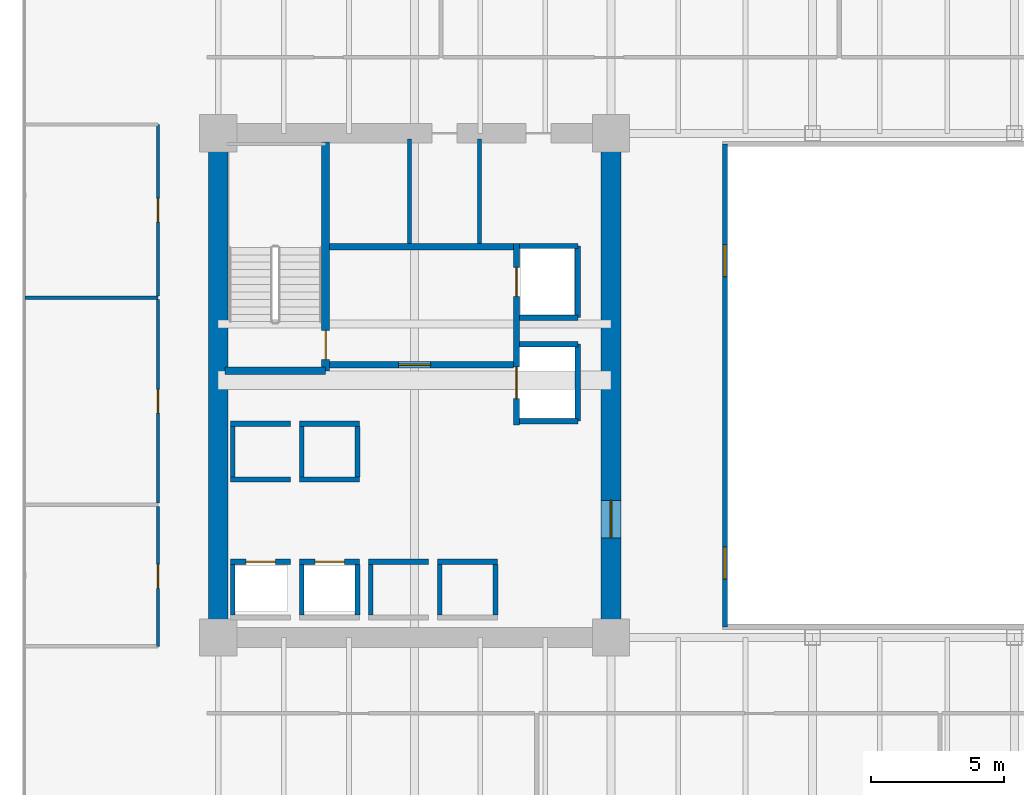
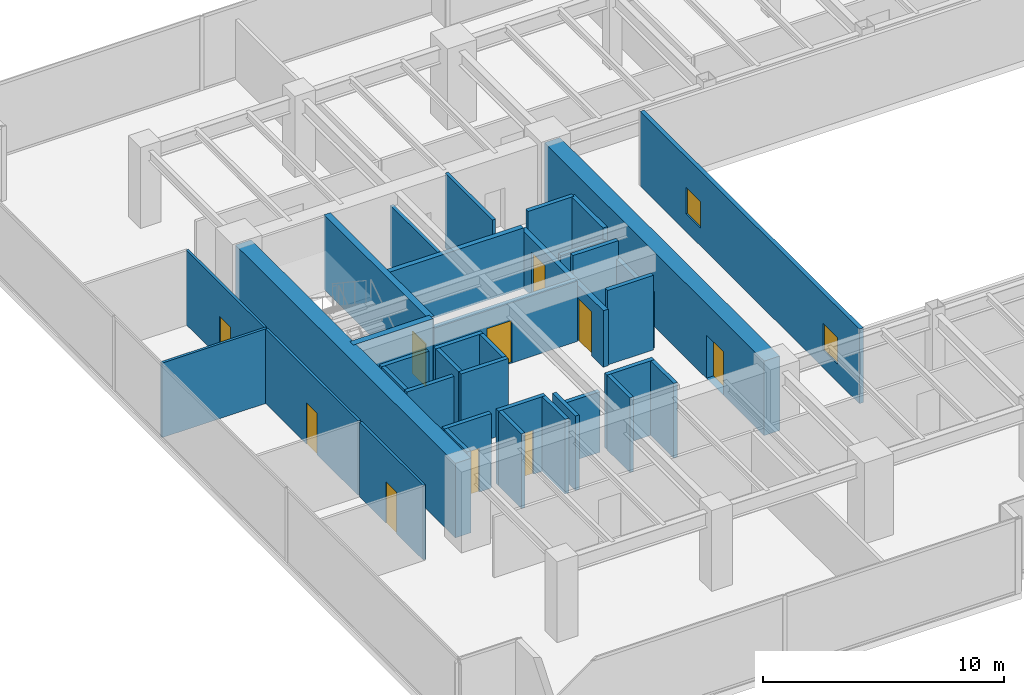
# One storey, part 29 of 35: 37 walls, 10 doors, 2 windows, 12 openings.
"""IFC4 building model written with IfcOpenShell, lengths in metres."""

import ifcopenshell
import ifcopenshell.guid

model = None  # the IFC model being written
_history = None  # IfcOwnerHistory: only IFC2X3 demands one
_inside = {}  # id of a spatial element -> (the spatial element, [elements in it])
_under = {}  # id of a project, library or spatial element -> (it, [spatial elements below it])
_declared = {}  # id of a project -> (the project, [libraries it declares])
_typed = {}  # id of a type object -> (the type object, [elements of that type])
_made_of = {}  # id of a material, layer set ... -> (it, [elements and type objects made of it])


def new_model(schema):
    """Start an empty IFC model of exactly this schema.

    Asked for "IFC4X3", IfcOpenShell would pick the latest addendum, in which some entities
    have other attributes; the version numbers below select the first issue.
    IFC2X3 requires an IfcOwnerHistory on every rooted entity: one is made here for all.
    """
    global model, _history
    if schema == "IFC4X3":
        model = ifcopenshell.file(schema_version=(4, 3, 0, 0))
    else:
        model = ifcopenshell.file(schema=schema)
    _inside.clear()
    _under.clear()
    _declared.clear()
    _typed.clear()
    _made_of.clear()
    _history = None
    if model.schema == "IFC2X3":
        org = make("IfcOrganization", Name="unknown")
        user = make(
            "IfcPersonAndOrganization",
            ThePerson=make("IfcPerson", FamilyName="unknown"),
            TheOrganization=org,
        )
        app = make(
            "IfcApplication",
            ApplicationDeveloper=org,
            Version="unknown",
            ApplicationFullName="unknown",
            ApplicationIdentifier="unknown",
        )
        _history = make(
            "IfcOwnerHistory",
            OwningUser=user,
            OwningApplication=app,
            ChangeAction="ADDED",
            CreationDate=0,
        )
    return model


def make(cls, **values):
    """One entity of the class cls with the attributes given. An attribute that is None is left unset."""
    return model.create_entity(
        cls, **{name: value for name, value in values.items() if value is not None}
    )


def rooted(cls, **values):
    """An entity with a GlobalId (a new one), such as an element, a storey or a relation."""
    return make(cls, GlobalId=ifcopenshell.guid.new(), OwnerHistory=_history, **values)


def si_unit(unit_type, name, prefix=None):
    """IfcSIUnit, for example si_unit("LENGTHUNIT", "METRE", prefix="MILLI")."""
    return make("IfcSIUnit", UnitType=unit_type, Prefix=prefix, Name=name)


def assignment(units):
    """IfcUnitAssignment: the units of a project."""
    return None if units is None else make("IfcUnitAssignment", Units=units)


def point(xyz):
    """IfcCartesianPoint."""
    return None if xyz is None else make("IfcCartesianPoint", Coordinates=xyz)


def direction(xyz):
    """IfcDirection."""
    return None if xyz is None else make("IfcDirection", DirectionRatios=xyz)


def frame(location, z_axis=None, x_axis=None):
    """IfcAxis2Placement3D, a coordinate frame: its origin and axes. An axis left out is left unset."""
    return make(
        "IfcAxis2Placement3D",
        Location=point(location),
        Axis=direction(z_axis),
        RefDirection=direction(x_axis),
    )


def frame_2d(location, x_axis=None):
    """IfcAxis2Placement2D, a coordinate frame in the plane: its origin and x axis."""
    return make(
        "IfcAxis2Placement2D", Location=point(location), RefDirection=direction(x_axis)
    )


def origin():
    """The frame at (0, 0, 0) with its axes left unset."""
    return frame((0.0, 0.0, 0.0))


def place(relative_to, where):
    """IfcLocalPlacement: puts the frame where relative to a parent placement (None: the world)."""
    return make(
        "IfcLocalPlacement", PlacementRelTo=relative_to, RelativePlacement=where
    )


def context(
    kind, dimensions, precision=None, world=None, true_north=None, identifier=None
):
    """IfcGeometricRepresentationContext, for example the 3D "Model" context."""
    return make(
        "IfcGeometricRepresentationContext",
        ContextIdentifier=identifier,
        ContextType=kind,
        CoordinateSpaceDimension=dimensions,
        Precision=precision,
        WorldCoordinateSystem=world,
        TrueNorth=true_north,
    )


def subcontext(parent, identifier, kind, view, scale=None):
    """IfcGeometricRepresentationSubContext, for example "Body" below "Model"."""
    return make(
        "IfcGeometricRepresentationSubContext",
        ContextIdentifier=identifier,
        ContextType=kind,
        ParentContext=parent,
        TargetScale=scale,
        TargetView=view,
    )


def project(units=None, contexts=None):
    """IfcProject with its units and contexts."""
    return rooted(
        "IfcProject",
        Name="project",
        RepresentationContexts=contexts,
        UnitsInContext=assignment(units),
    )


def spatial(cls, under=None, at=None, **own):
    """A site, building, storey or space (cls), placed at a placement, below another one or the project."""
    s = rooted(cls, ObjectPlacement=at, **own)
    if under is not None:
        _under.setdefault(under.id(), (under, []))[1].append(s)
    return s


def profile(cls, at=None, kind="AREA", **sizes):
    """A parametric profile (cls). Its sizes go by their IFC names, for example OverallWidth=200.0."""
    return make(cls, ProfileType=kind, Position=at, **sizes)


def rectangle(**sizes):
    """IfcRectangleProfileDef."""
    return profile("IfcRectangleProfileDef", **sizes)


def extrude(swept, where, along, depth):
    """IfcExtrudedAreaSolid: the profile swept, set in the frame where, extruded along a direction by depth."""
    return make(
        "IfcExtrudedAreaSolid",
        SweptArea=swept,
        Position=where,
        ExtrudedDirection=direction(along),
        Depth=depth,
    )


def shape(context_of_items, identifier, shape_type, items):
    """IfcShapeRepresentation: the items that make up one representation, for example the "Body"."""
    return make(
        "IfcShapeRepresentation",
        ContextOfItems=context_of_items,
        RepresentationIdentifier=identifier,
        RepresentationType=shape_type,
        Items=items,
    )


def source(mapping_origin, context_of_items, identifier, shape_type, items):
    """IfcRepresentationMap: a shape defined once, which mapped items show again and again."""
    return make(
        "IfcRepresentationMap",
        MappingOrigin=mapping_origin,
        MappedRepresentation=shape(context_of_items, identifier, shape_type, items),
    )


def transform(
    local_origin,
    x_axis=None,
    y_axis=None,
    z_axis=None,
    scale=None,
    scale2=None,
    scale3=None,
    uniform=True,
):
    """IfcCartesianTransformationOperator3D, or its non-uniform kind. x_axis, y_axis, z_axis: its Axis1, 2, 3."""
    if uniform:
        return make(
            "IfcCartesianTransformationOperator3D",
            Axis1=direction(x_axis),
            Axis2=direction(y_axis),
            LocalOrigin=point(local_origin),
            Scale=scale,
            Axis3=direction(z_axis),
        )
    return make(
        "IfcCartesianTransformationOperator3DnonUniform",
        Axis1=direction(x_axis),
        Axis2=direction(y_axis),
        LocalOrigin=point(local_origin),
        Scale=scale,
        Axis3=direction(z_axis),
        Scale2=scale2,
        Scale3=scale3,
    )


def mapped(mapping_source, mapping_target):
    """IfcMappedItem: shows the shape of a source again, moved by a transform."""
    return make(
        "IfcMappedItem", MappingSource=mapping_source, MappingTarget=mapping_target
    )


def material(Name=None, Category=None):
    """IfcMaterial."""
    return make("IfcMaterial", Name=Name, Category=Category)


def layer(
    of_material, thickness, ventilated=None, Name=None, Category=None, Priority=None
):
    """IfcMaterialLayer: one layer of a wall or slab, of a material (None: an air gap)."""
    return make(
        "IfcMaterialLayer",
        Material=of_material,
        LayerThickness=thickness,
        IsVentilated=ventilated,
        Name=Name,
        Category=Category,
        Priority=Priority,
    )


def layer_set(layers, Name=None):
    """IfcMaterialLayerSet."""
    return make("IfcMaterialLayerSet", MaterialLayers=layers, LayerSetName=Name)


def made_of(thing, what):
    """Note that an element or type object is made of a material, layer set ...; save() writes the relation."""
    if what is not None:
        _made_of.setdefault(what.id(), (what, []))[1].append(thing)
    return thing


def type_object(cls, material=None, **own):
    """A type object (cls), such as IfcWallType, which elements share."""
    return made_of(rooted(cls, **own), material)


def type_shapes(of_type, sources):
    """Give a type object the sources (RepresentationMaps) that its elements show as mapped items."""
    of_type.RepresentationMaps = sources


def element(
    cls,
    number,
    at=None,
    inside=None,
    cuts=None,
    type_object=None,
    material=None,
    context=None,
    identifier="Body",
    shape_type=None,
    held_by="IfcProductDefinitionShape",
    body=None,
    shapes=None,
    **own,
):
    """One element of the class cls, such as IfcWall. Its Tag is "e" and its number.

    at: its placement. inside: the storey or other place that contains it. cuts: it is an
    opening in that element (IfcRelVoidsElement). A single representation is given by context,
    identifier, shape_type and body (its items); several are given by shapes. held_by: the class
    of the entity that holds the representations. save() writes the other relations.
    """
    e = rooted(cls, Tag="e%d" % number, ObjectPlacement=at, **own)
    if body is not None:
        shapes = [shape(context, identifier, shape_type, body)]
    if shapes is not None:
        e.Representation = make(held_by, Representations=shapes)
    if inside is not None:
        _inside.setdefault(inside.id(), (inside, []))[1].append(e)
    if cuts is not None:
        rooted(
            "IfcRelVoidsElement", RelatingBuildingElement=cuts, RelatedOpeningElement=e
        )
    if type_object is not None:
        _typed.setdefault(type_object.id(), (type_object, []))[1].append(e)
    return made_of(e, material)


def fill(opening, filler):
    """IfcRelFillsElement: the door or window that sits in an opening."""
    return rooted(
        "IfcRelFillsElement",
        RelatingOpeningElement=opening,
        RelatedBuildingElement=filler,
    )


def aggregate(whole, parts):
    """IfcRelAggregates: a whole, such as a stair, and the parts it consists of."""
    return rooted("IfcRelAggregates", RelatingObject=whole, RelatedObjects=parts)


def save(model, path):
    """Write the relations noted so far, then the file.

    IfcRelAggregates (storeys below a building ...), IfcRelContainedInSpatialStructure (elements
    in a storey), IfcRelDefinesByType, IfcRelAssociatesMaterial and IfcRelDeclares: one each for
    every whole, place, type object, material and project.
    """
    for whole, parts in _under.values():
        aggregate(whole, parts)
    for where, things in _inside.values():
        rooted(
            "IfcRelContainedInSpatialStructure",
            RelatedElements=things,
            RelatingStructure=where,
        )
    for kind, things in _typed.values():
        rooted("IfcRelDefinesByType", RelatedObjects=things, RelatingType=kind)
    for what, things in _made_of.values():
        rooted("IfcRelAssociatesMaterial", RelatedObjects=things, RelatingMaterial=what)
    for by, libraries in _declared.values():
        rooted("IfcRelDeclares", RelatingContext=by, RelatedDefinitions=libraries)
    model.write(path)


model = new_model("IFC4")

# Units and contexts
model_context = context("Model", 3, precision=1e-05, world=origin(), true_north=direction((0.0, 1.0)))
body_context = subcontext(model_context, "Body", "Model", "MODEL_VIEW")
ifc_project = project(units=[si_unit("LENGTHUNIT", "METRE"), si_unit("AREAUNIT", "SQUARE_METRE"), si_unit("VOLUMEUNIT", "CUBIC_METRE"), si_unit("PLANEANGLEUNIT", "RADIAN"), si_unit("MASSUNIT", "GRAM", prefix="KILO")], contexts=[model_context])

# Site, building, storey
site_placement = place(None, origin())
site = spatial("IfcSite", under=ifc_project, at=site_placement, CompositionType="ELEMENT")
building_placement = place(site_placement, origin())
building = spatial("IfcBuilding", under=site, at=building_placement, Name="Haelvirn Gate Laboratories", CompositionType="ELEMENT")
storey_placement = place(building_placement, frame((0.0, 0.0, 37.5)))
storey = spatial("IfcBuildingStorey", under=building, at=storey_placement, Name="L09", CompositionType="ELEMENT", Elevation=37.5)

# Wall, openings, windows
ifc_material_1 = material(Name="Tempered fire-rated borosilicate glass & anodised aluminium", Category="aluminium")
ifc_layer_1 = layer(ifc_material_1, 0.195068359375, Name="IW-GLAZ-200")
ifc_layer_set_1 = layer_set([ifc_layer_1], Name="Tempered fire-rated borosilicate glass & anodised aluminium")
wall_type_1 = type_object("IfcWallType", Name="IW-GLAZ-200", PredefinedType="SOLIDWALL", material=ifc_layer_set_1)
wall_1_placement = place(storey_placement, frame((26.5, 15.199951171875, 0.0), z_axis=(0.0, 0.0, 1.0), x_axis=(0.0, 1.0, 0.0)))
wall_1 = element("IfcWall", 1, at=wall_1_placement, inside=storey, type_object=wall_type_1, Name="L09 Interior Wall IW-L09-ATRIUM-W", PredefinedType="SOLIDWALL", context=body_context, shape_type="SweptSolid", body=[
    extrude(rectangle(XDim=18.199951171875, YDim=0.195068359375, at=frame_2d((9.10009765625, 0.0))), origin(), (0.0, 0.0, 1.0), 3.780029296875),
])
opening_1_placement = place(wall_1_placement, frame((1.800048828125, 0.0, 0.89990234375)))
opening_1 = element("IfcOpeningElement", 2, at=opening_1_placement, cuts=wall_1, Name="Opening W6", PredefinedType="OPENING", context=body_context, shape_type="SweptSolid", body=[
    extrude(rectangle(XDim=1.199951171875, YDim=1.35009765625, at=frame_2d((0.60009765625, 0.675048828125))), frame((0.0, 0.107421875, 0.0), z_axis=(0.0, -1.0, 0.0), x_axis=(1.0, 0.0, 0.0)), (0.0, 0.0, 1.0), 0.215087890625),
])
opening_2_placement = place(wall_1_placement, frame((13.199951171875, 0.0, 0.89990234375)))
opening_2 = element("IfcOpeningElement", 3, at=opening_2_placement, cuts=wall_1, Name="Opening W6", PredefinedType="OPENING", context=body_context, shape_type="SweptSolid", body=[
    extrude(rectangle(XDim=1.199951171875, YDim=1.35009765625, at=frame_2d((0.60009765625, 0.675048828125))), frame((0.0, 0.107421875, 0.0), z_axis=(0.0, -1.0, 0.0), x_axis=(1.0, 0.0, 0.0)), (0.0, 0.0, 1.0), 0.215087890625),
])
ifc_material_2 = material(Name="Fire-rated EI 120 borosilicate atrium vision glazing", Category="glass")
window_type = type_object("IfcWindowType", Name="WN-ATR-1200", PartitioningType="SINGLE_PANEL", PredefinedType="WINDOW", material=ifc_material_2)
shared_shape_1 = source(origin(), body_context, "Body", "SweptSolid", [
    extrude(rectangle(XDim=1.199951171875, YDim=1.35009765625, at=frame_2d((0.60009765625, 0.675048828125))), frame((0.0, 0.030029296875, 0.0), z_axis=(0.0, -1.0, 0.0), x_axis=(1.0, 0.0, 0.0)), (0.0, 0.0, 1.0), 0.06005859375),
])
type_shapes(window_type, [shared_shape_1])
window_1_placement = place(opening_1_placement, origin())
window_1 = element("IfcWindow", 4, at=window_1_placement, inside=storey, type_object=window_type, Name="L09 Atrium Observation Window 1", OverallHeight=1.35009765625, OverallWidth=1.199951171875, PartitioningType="SINGLE_PANEL", PredefinedType="WINDOW", context=body_context, shape_type="MappedRepresentation", body=[
    mapped(shared_shape_1, transform((0.0, 0.0, 0.0), scale=1.0)),
])
fill(opening_1, window_1)
window_2_placement = place(opening_2_placement, origin())
window_2 = element("IfcWindow", 5, at=window_2_placement, inside=storey, type_object=window_type, Name="L09 Atrium Observation Window 2", OverallHeight=1.35009765625, OverallWidth=1.199951171875, PartitioningType="SINGLE_PANEL", PredefinedType="WINDOW", context=body_context, shape_type="MappedRepresentation", body=[
    mapped(shared_shape_1, transform((0.0, 0.0, 0.0), scale=1.0)),
])
fill(opening_2, window_2)

# Wall, opening, door
ifc_material_3 = material(Name="Lightweight acoustic gypsum board partition", Category="gypsum")
ifc_layer_2 = layer(ifc_material_3, 0.1201171875, Name="IW-PART-120")
ifc_layer_set_2 = layer_set([ifc_layer_2], Name="Lightweight acoustic gypsum board partition")
wall_type_2 = type_object("IfcWallType", Name="IW-PART-120", PredefinedType="PARTITIONING", material=ifc_layer_set_2)
wall_2_placement = place(storey_placement, frame((5.1298828125, 14.465087890625, 0.0), z_axis=(0.0, 0.0, 1.0), x_axis=(0.0, 1.0, 0.0)))
wall_2 = element("IfcWall", 6, at=wall_2_placement, inside=storey, type_object=wall_type_2, Name="L09 Interior Wall IW-L09-WPASS-01", PredefinedType="PARTITIONING", context=body_context, shape_type="SweptSolid", body=[
    extrude(rectangle(XDim=5.27490234375, YDim=0.1201171875, at=frame_2d((2.637451171875, 0.0))), origin(), (0.0, 0.0, 1.0), 3.780029296875),
])
opening_3_placement = place(wall_2_placement, frame((2.1875, 0.0, 0.0)))
opening_3 = element("IfcOpeningElement", 7, at=opening_3_placement, cuts=wall_2, Name="Opening D4", PredefinedType="OPENING", context=body_context, shape_type="SweptSolid", body=[
    extrude(rectangle(XDim=0.89990234375, YDim=2.10009765625, at=frame_2d((0.449951171875, 1.050048828125))), frame((0.0, 0.070068359375, 0.0), z_axis=(0.0, -1.0, 0.0), x_axis=(1.0, 0.0, 0.0)), (0.0, 0.0, 1.0), 0.14013671875),
])
ifc_material_4 = material(Name="Glazed aluminium-framed write-up door", Category="aluminium")
door_type_1 = type_object("IfcDoorType", Name="DR-OFF-900", OperationType="NOTDEFINED", PredefinedType="DOOR", material=ifc_material_4)
shared_shape_2 = source(origin(), body_context, "Body", "SweptSolid", [
    extrude(rectangle(XDim=0.89990234375, YDim=2.10009765625, at=frame_2d((0.449951171875, 1.050048828125))), frame((0.0, 0.02490234375, 0.0), z_axis=(0.0, -1.0, 0.0), x_axis=(1.0, 0.0, 0.0)), (0.0, 0.0, 1.0), 0.050048828125),
])
type_shapes(door_type_1, [shared_shape_2])
door_1_placement = place(opening_3_placement, origin())
door_1 = element("IfcDoor", 8, at=door_1_placement, inside=storey, type_object=door_type_1, Name="L09 Bioprocess Foundry Laboratory Door W1", OperationType="SINGLE_SWING_LEFT", OverallHeight=2.10009765625, OverallWidth=0.89990234375, PredefinedType="DOOR", context=body_context, shape_type="MappedRepresentation", body=[
    mapped(shared_shape_2, transform((0.0, 0.0, 0.0), scale=1.0)),
])
fill(opening_3, door_1)

wall_3_placement = place(storey_placement, frame((5.1298828125, 19.860107421875, 0.0), z_axis=(0.0, 0.0, 1.0), x_axis=(0.0, 1.0, 0.0)))
wall_3 = element("IfcWall", 9, at=wall_3_placement, inside=storey, type_object=wall_type_2, Name="L09 Interior Wall IW-L09-WPASS-02", PredefinedType="PARTITIONING", context=body_context, shape_type="SweptSolid", body=[
    extrude(rectangle(XDim=7.679931640625, YDim=0.1201171875, at=frame_2d((3.83984375, 0.0))), origin(), (0.0, 0.0, 1.0), 3.780029296875),
])
opening_4_placement = place(wall_3_placement, frame((3.389892578125, 0.0, 0.0)))
opening_4 = element("IfcOpeningElement", 10, at=opening_4_placement, cuts=wall_3, Name="Opening D4", PredefinedType="OPENING", context=body_context, shape_type="SweptSolid", body=[
    extrude(rectangle(XDim=0.89990234375, YDim=2.10009765625, at=frame_2d((0.449951171875, 1.050048828125))), frame((0.0, 0.070068359375, 0.0), z_axis=(0.0, -1.0, 0.0), x_axis=(1.0, 0.0, 0.0)), (0.0, 0.0, 1.0), 0.14013671875),
])
door_2_placement = place(opening_4_placement, origin())
door_2 = element("IfcDoor", 11, at=door_2_placement, inside=storey, type_object=door_type_1, Name="L09 Genomics Assay Laboratory Door W2", OperationType="SINGLE_SWING_RIGHT", OverallHeight=2.10009765625, OverallWidth=0.89990234375, PredefinedType="DOOR", context=body_context, shape_type="MappedRepresentation", body=[
    mapped(shared_shape_2, transform((0.0, 0.0, 0.0), scale=1.0)),
])
fill(opening_4, door_2)

# Wall
wall_4_placement = place(storey_placement, frame((0.110107421875, 27.60009765625, 0.0), z_axis=(0.0, 0.0, 1.0), x_axis=(1.0, 0.0, 0.0)))
element("IfcWall", 12, at=wall_4_placement, inside=storey, type_object=wall_type_2, Name="L09 Interior Wall IW-L09-WDIV-02", PredefinedType="PARTITIONING", context=body_context, shape_type="SweptSolid", body=[
    extrude(rectangle(XDim=5.019775390625, YDim=0.1201171875, at=frame_2d((2.509765625, 0.0))), origin(), (0.0, 0.0, 1.0), 3.780029296875),
])

# Wall, opening, door
wall_5_placement = place(storey_placement, frame((5.1298828125, 27.659912109375, 0.0), z_axis=(0.0, 0.0, 1.0), x_axis=(0.0, 1.0, 0.0)))
wall_5 = element("IfcWall", 13, at=wall_5_placement, inside=storey, type_object=wall_type_2, Name="L09 Interior Wall IW-L09-WPASS-03", PredefinedType="PARTITIONING", context=body_context, shape_type="SweptSolid", body=[
    extrude(rectangle(XDim=6.47509765625, YDim=0.1201171875, at=frame_2d((3.237548828125, 0.0))), origin(), (0.0, 0.0, 1.0), 3.780029296875),
])
opening_5_placement = place(wall_5_placement, frame((2.78759765625, 0.0, 0.0)))
opening_5 = element("IfcOpeningElement", 14, at=opening_5_placement, cuts=wall_5, Name="Opening D4", PredefinedType="OPENING", context=body_context, shape_type="SweptSolid", body=[
    extrude(rectangle(XDim=0.89990234375, YDim=2.10009765625, at=frame_2d((0.449951171875, 1.050048828125))), frame((0.0, 0.070068359375, 0.0), z_axis=(0.0, -1.0, 0.0), x_axis=(1.0, 0.0, 0.0)), (0.0, 0.0, 1.0), 0.14013671875),
])
door_3_placement = place(opening_5_placement, origin())
door_3 = element("IfcDoor", 15, at=door_3_placement, inside=storey, type_object=door_type_1, Name="L09 Proteomics Mass-Spec Laboratory Door W3", OperationType="SINGLE_SWING_LEFT", OverallHeight=2.10009765625, OverallWidth=0.89990234375, PredefinedType="DOOR", context=body_context, shape_type="MappedRepresentation", body=[
    mapped(shared_shape_2, transform((0.0, 0.0, 0.0), scale=1.0)),
])
fill(opening_5, door_3)

# Walls
ifc_material_5 = material(Name="Cement-board restroom plumbing chase wall", Category="gypsum")
ifc_layer_3 = layer(ifc_material_5, 0.155029296875, Name="IW-PLUMB-160")
ifc_layer_set_3 = layer_set([ifc_layer_3], Name="Cement-board restroom plumbing chase wall")
wall_type_3 = type_object("IfcWallType", Name="IW-PLUMB-160", PredefinedType="PLUMBINGWALL", material=ifc_layer_set_3)
wall_6_placement = place(storey_placement, frame((14.610107421875, 29.64990234375, 0.0), z_axis=(0.0, 0.0, 1.0), x_axis=(0.0, 1.0, 0.0)))
element("IfcWall", 16, at=wall_6_placement, inside=storey, type_object=wall_type_3, Name="L09 Interior Wall IW-L09-W-CDIV-0", PredefinedType="PLUMBINGWALL", context=body_context, shape_type="SweptSolid", body=[
    extrude(rectangle(XDim=3.93017578125, YDim=0.155029296875, at=frame_2d((1.965087890625, 0.0))), origin(), (0.0, 0.0, 1.0), 3.06494140625),
])
wall_7_placement = place(storey_placement, frame((17.239990234375, 29.64990234375, 0.0), z_axis=(0.0, 0.0, 1.0), x_axis=(0.0, 1.0, 0.0)))
element("IfcWall", 17, at=wall_7_placement, inside=storey, type_object=wall_type_3, Name="L09 Interior Wall IW-L09-W-CDIV-1", PredefinedType="PLUMBINGWALL", context=body_context, shape_type="SweptSolid", body=[
    extrude(rectangle(XDim=3.93017578125, YDim=0.155029296875, at=frame_2d((1.965087890625, 0.0))), origin(), (0.0, 0.0, 1.0), 3.780029296875),
])
ifc_material_6 = material(Name="Concrete C40/50", Category="concrete")
ifc_layer_4 = layer(ifc_material_6, 0.179931640625, Name="IW-SHAFT-180")
ifc_layer_set_4 = layer_set([ifc_layer_4], Name="Concrete C40/50")
wall_type_4 = type_object("IfcWallType", Name="IW-SHAFT-180", PredefinedType="SOLIDWALL", material=ifc_layer_set_4)
for number, where, z_axis, x_axis, name in (
    (18, (7.949951171875, 15.64990234375, 0.0), (0.0, 0.0, 1.0), (0.0, 1.0, 0.0), "L09 Interior Wall IW-L09-PL1-SD"),
    (19, (10.550048828125, 15.64990234375, 0.0), (0.0, 0.0, 1.0), (0.0, 1.0, 0.0), "L09 Interior Wall IW-L09-PL2-SD"),
    (20, (12.64990234375, 15.64990234375, 0.0), (0.0, 0.0, 1.0), (0.0, 1.0, 0.0), "L09 Interior Wall IW-L09-PL2-SDE"),
    (21, (13.14990234375, 15.64990234375, 0.0), (0.0, 0.0, 1.0), (0.0, 1.0, 0.0), "L09 Interior Wall IW-L09-PL5-SD"),
    (22, (15.75, 15.64990234375, 0.0), (0.0, 0.0, 1.0), (0.0, 1.0, 0.0), "L09 Interior Wall IW-L09-PL6-SD"),
    (23, (17.85009765625, 15.64990234375, 0.0), (0.0, 0.0, 1.0), (0.0, 1.0, 0.0), "L09 Interior Wall IW-L09-PL6-SDE"),
):
    element("IfcWall", number, at=place(storey_placement, frame(where, z_axis=z_axis, x_axis=x_axis)), inside=storey, type_object=wall_type_4, Name=name, PredefinedType="SOLIDWALL", context=body_context, shape_type="SweptSolid", body=[
        extrude(rectangle(XDim=1.900146484375, YDim=0.179931640625, at=frame_2d((0.9501953125, 0.0))), origin(), (0.0, 0.0, 1.0), 3.780029296875),
    ])
for number, where, z_axis, x_axis, name in (
    (24, (7.949951171875, 20.85009765625, 0.0), (0.0, 0.0, 1.0), (0.0, 1.0, 0.0), "L09 Interior Wall IW-L09-PL9-SD"),
    (25, (10.550048828125, 20.85009765625, 0.0), (0.0, 0.0, 1.0), (0.0, 1.0, 0.0), "L09 Interior Wall IW-L09-PL10-SD"),
    (26, (12.64990234375, 20.85009765625, 0.0), (0.0, 0.0, 1.0), (0.0, 1.0, 0.0), "L09 Interior Wall IW-L09-PL10-SDE"),
):
    element("IfcWall", number, at=place(storey_placement, frame(where, z_axis=z_axis, x_axis=x_axis)), inside=storey, type_object=wall_type_4, Name=name, PredefinedType="SOLIDWALL", context=body_context, shape_type="SweptSolid", body=[
        extrude(rectangle(XDim=1.89990234375, YDim=0.179931640625, at=frame_2d((0.949951171875, 0.0))), origin(), (0.0, 0.0, 1.0), 3.780029296875),
    ])

# Wall, opening, door
ifc_layer_5 = layer(ifc_material_6, 0.199951171875, Name="IW-SHAFT-200")
ifc_layer_set_5 = layer_set([ifc_layer_5], Name="Concrete C40/50")
wall_type_5 = type_object("IfcWallType", Name="IW-SHAFT-200", PredefinedType="SOLIDWALL", material=ifc_layer_set_5)
wall_8_placement = place(storey_placement, frame((7.8701171875, 17.64990234375, 0.0), z_axis=(0.0, 0.0, 1.0), x_axis=(1.0, 0.0, 0.0)))
wall_8 = element("IfcWall", 27, at=wall_8_placement, inside=storey, type_object=wall_type_5, Name="L09 Interior Wall IW-L09-PL1-FR", PredefinedType="SOLIDWALL", context=body_context, shape_type="SweptSolid", body=[
    extrude(rectangle(XDim=2.259765625, YDim=0.199951171875, at=frame_2d((1.1298828125, 0.0))), origin(), (0.0, 0.0, 1.0), 3.780029296875),
])
opening_6_placement = place(wall_8_placement, frame((0.580078125, 0.0, 0.0)))
opening_6 = element("IfcOpeningElement", 28, at=opening_6_placement, cuts=wall_8, Name="Opening LD2", PredefinedType="OPENING", context=body_context, shape_type="SweptSolid", body=[
    extrude(rectangle(XDim=1.10009765625, YDim=2.219970703125, at=frame_2d((0.550048828125, 1.10986328125))), frame((0.0, 0.10986328125, 0.0), z_axis=(0.0, -1.0, 0.0), x_axis=(1.0, 0.0, 0.0)), (0.0, 0.0, 1.0), 0.219970703125),
])
ifc_material_7 = material(Name="Bronze stainless 316L sliding lift landing door")
door_type_2 = type_object("IfcDoorType", Name="DR-LD-1100", OperationType="NOTDEFINED", PredefinedType="USERDEFINED", material=ifc_material_7)
shared_shape_3 = source(origin(), body_context, "Body", "SweptSolid", [
    extrude(rectangle(XDim=1.10009765625, YDim=2.219970703125, at=frame_2d((0.550048828125, 1.10986328125))), frame((0.0, 0.02490234375, 0.0), z_axis=(0.0, -1.0, 0.0), x_axis=(1.0, 0.0, 0.0)), (0.0, 0.0, 1.0), 0.050048828125),
])
type_shapes(door_type_2, [shared_shape_3])
door_4_placement = place(opening_6_placement, origin())
door_4 = element("IfcDoor", 29, at=door_4_placement, inside=storey, type_object=door_type_2, Name="L09 Passenger Lift PL1 Landing Door", ObjectType="LANDING_DOOR", OperationType="SLIDING_TO_LEFT", OverallHeight=2.219970703125, OverallWidth=1.10009765625, PredefinedType="USERDEFINED", context=body_context, shape_type="MappedRepresentation", body=[
    mapped(shared_shape_3, transform((0.0, 0.0, 0.0), scale=1.0)),
])
fill(opening_6, door_4)

wall_9_placement = place(storey_placement, frame((10.469970703125, 17.64990234375, 0.0), z_axis=(0.0, 0.0, 1.0), x_axis=(1.0, 0.0, 0.0)))
wall_9 = element("IfcWall", 30, at=wall_9_placement, inside=storey, type_object=wall_type_5, Name="L09 Interior Wall IW-L09-PL2-FR", PredefinedType="SOLIDWALL", context=body_context, shape_type="SweptSolid", body=[
    extrude(rectangle(XDim=2.260009765625, YDim=0.199951171875, at=frame_2d((1.1298828125, 0.0))), origin(), (0.0, 0.0, 1.0), 3.780029296875),
])
opening_7_placement = place(wall_9_placement, frame((0.580078125, 0.0, 0.0)))
opening_7 = element("IfcOpeningElement", 31, at=opening_7_placement, cuts=wall_9, Name="Opening LD2", PredefinedType="OPENING", context=body_context, shape_type="SweptSolid", body=[
    extrude(rectangle(XDim=1.10009765625, YDim=2.219970703125, at=frame_2d((0.550048828125, 1.10986328125))), frame((0.0, 0.10986328125, 0.0), z_axis=(0.0, -1.0, 0.0), x_axis=(1.0, 0.0, 0.0)), (0.0, 0.0, 1.0), 0.219970703125),
])
door_5_placement = place(opening_7_placement, origin())
door_5 = element("IfcDoor", 32, at=door_5_placement, inside=storey, type_object=door_type_2, Name="L09 Passenger Lift PL2 Landing Door", ObjectType="LANDING_DOOR", OperationType="SLIDING_TO_RIGHT", OverallHeight=2.219970703125, OverallWidth=1.10009765625, PredefinedType="USERDEFINED", context=body_context, shape_type="MappedRepresentation", body=[
    mapped(shared_shape_3, transform((0.0, 0.0, 0.0), scale=1.0)),
])
fill(opening_7, door_5)

# Walls
wall_10_placement = place(storey_placement, frame((13.070068359375, 17.64990234375, 0.0), z_axis=(0.0, 0.0, 1.0), x_axis=(1.0, 0.0, 0.0)))
element("IfcWall", 33, at=wall_10_placement, inside=storey, type_object=wall_type_5, Name="L09 Interior Wall IW-L09-PL5-FR", PredefinedType="SOLIDWALL", context=body_context, shape_type="SweptSolid", body=[
    extrude(rectangle(XDim=2.260009765625, YDim=0.199951171875, at=frame_2d((1.1298828125, 0.0))), origin(), (0.0, 0.0, 1.0), 3.06494140625),
])
wall_11_placement = place(storey_placement, frame((15.669921875, 17.64990234375, 0.0), z_axis=(0.0, 0.0, 1.0), x_axis=(1.0, 0.0, 0.0)))
element("IfcWall", 34, at=wall_11_placement, inside=storey, type_object=wall_type_5, Name="L09 Interior Wall IW-L09-PL6-FR", PredefinedType="SOLIDWALL", context=body_context, shape_type="SweptSolid", body=[
    extrude(rectangle(XDim=2.260009765625, YDim=0.199951171875, at=frame_2d((1.1298828125, 0.0))), origin(), (0.0, 0.0, 1.0), 3.780029296875),
])
for number, where, z_axis, x_axis, name in (
    (35, (7.8701171875, 20.75, 0.0), (0.0, 0.0, 1.0), (1.0, 0.0, 0.0), "L09 Interior Wall IW-L09-PL9-FR"),
    (36, (7.8701171875, 22.85009765625, 0.0), (0.0, 0.0, 1.0), (1.0, 0.0, 0.0), "L09 Interior Wall IW-L09-PL9-BK"),
):
    element("IfcWall", number, at=place(storey_placement, frame(where, z_axis=z_axis, x_axis=x_axis)), inside=storey, type_object=wall_type_5, Name=name, PredefinedType="SOLIDWALL", context=body_context, shape_type="SweptSolid", body=[
        extrude(rectangle(XDim=2.259765625, YDim=0.199951171875, at=frame_2d((1.1298828125, 0.0))), origin(), (0.0, 0.0, 1.0), 3.780029296875),
    ])
for number, where, z_axis, x_axis, name in (
    (37, (10.469970703125, 20.75, 0.0), (0.0, 0.0, 1.0), (1.0, 0.0, 0.0), "L09 Interior Wall IW-L09-PL10-FR"),
    (38, (10.469970703125, 22.85009765625, 0.0), (0.0, 0.0, 1.0), (1.0, 0.0, 0.0), "L09 Interior Wall IW-L09-PL10-BK"),
):
    element("IfcWall", number, at=place(storey_placement, frame(where, z_axis=z_axis, x_axis=x_axis)), inside=storey, type_object=wall_type_5, Name=name, PredefinedType="SOLIDWALL", context=body_context, shape_type="SweptSolid", body=[
        extrude(rectangle(XDim=2.260009765625, YDim=0.199951171875, at=frame_2d((1.1298828125, 0.0))), origin(), (0.0, 0.0, 1.0), 3.780029296875),
    ])
wall_12_placement = place(storey_placement, frame((20.949951171875, 26.85009765625, 0.0), z_axis=(0.0, 0.0, 1.0), x_axis=(0.0, 1.0, 0.0)))
element("IfcWall", 39, at=wall_12_placement, inside=storey, type_object=wall_type_5, Name="L09 Interior Wall IW-L09-FL1-BK", PredefinedType="SOLIDWALL", context=body_context, shape_type="SweptSolid", body=[
    extrude(rectangle(XDim=2.699951171875, YDim=0.199951171875, at=frame_2d((1.35009765625, 0.0))), origin(), (0.0, 0.0, 1.0), 3.780029296875),
])
wall_13_placement = place(storey_placement, frame((18.760009765625, 29.550048828125, 0.0), z_axis=(0.0, 0.0, 1.0), x_axis=(1.0, 0.0, 0.0)))
element("IfcWall", 40, at=wall_13_placement, inside=storey, type_object=wall_type_5, Name="L09 Interior Wall IW-L09-FL1-N", PredefinedType="SOLIDWALL", context=body_context, shape_type="SweptSolid", body=[
    extrude(rectangle(XDim=2.18994140625, YDim=0.199951171875, at=frame_2d((1.094970703125, 0.0))), origin(), (0.0, 0.0, 1.0), 3.780029296875),
])
wall_14_placement = place(storey_placement, frame((18.760009765625, 26.85009765625, 0.0), z_axis=(0.0, 0.0, 1.0), x_axis=(1.0, 0.0, 0.0)))
element("IfcWall", 41, at=wall_14_placement, inside=storey, type_object=wall_type_5, Name="L09 Interior Wall IW-L09-FL1-S", PredefinedType="SOLIDWALL", context=body_context, shape_type="SweptSolid", body=[
    extrude(rectangle(XDim=2.18994140625, YDim=0.199951171875, at=frame_2d((1.094970703125, 0.0))), origin(), (0.0, 0.0, 1.0), 3.177001953125),
])
wall_15_placement = place(storey_placement, frame((20.949951171875, 22.949951171875, 0.0), z_axis=(0.0, 0.0, 1.0), x_axis=(0.0, 1.0, 0.0)))
element("IfcWall", 42, at=wall_15_placement, inside=storey, type_object=wall_type_5, Name="L09 Interior Wall IW-L09-SL1-BK", PredefinedType="SOLIDWALL", context=body_context, shape_type="SweptSolid", body=[
    extrude(rectangle(XDim=2.900146484375, YDim=0.199951171875, at=frame_2d((1.4501953125, 0.0))), origin(), (0.0, 0.0, 1.0), 2.864990234375),
])
for number, where, z_axis, x_axis, name in (
    (43, (18.760009765625, 25.85009765625, 0.0), (0.0, 0.0, 1.0), (1.0, 0.0, 0.0), "L09 Interior Wall IW-L09-SL1-N"),
    (44, (18.760009765625, 22.949951171875, 0.0), (0.0, 0.0, 1.0), (1.0, 0.0, 0.0), "L09 Interior Wall IW-L09-SL1-S"),
):
    element("IfcWall", number, at=place(storey_placement, frame(where, z_axis=z_axis, x_axis=x_axis)), inside=storey, type_object=wall_type_5, Name=name, PredefinedType="SOLIDWALL", context=body_context, shape_type="SweptSolid", body=[
        extrude(rectangle(XDim=2.18994140625, YDim=0.199951171875, at=frame_2d((1.094970703125, 0.0))), origin(), (0.0, 0.0, 1.0), 3.780029296875),
    ])

# Wall, opening, door
ifc_layer_6 = layer(ifc_material_6, 0.239990234375, Name="IW-SHAFT-240")
ifc_layer_set_6 = layer_set([ifc_layer_6], Name="Concrete C40/50")
wall_type_6 = type_object("IfcWallType", Name="IW-SHAFT-240", PredefinedType="SOLIDWALL", material=ifc_layer_set_6)
wall_16_placement = place(storey_placement, frame((11.60009765625, 25.080078125, 0.0), z_axis=(0.0, 0.0, 1.0), x_axis=(1.0, 0.0, 0.0)))
wall_16 = element("IfcWall", 45, at=wall_16_placement, inside=storey, type_object=wall_type_6, Name="L09 Interior Wall IW-L09-W-FF-S", PredefinedType="SOLIDWALL", context=body_context, shape_type="SweptSolid", body=[
    extrude(rectangle(XDim=6.919921875, YDim=0.239990234375, at=frame_2d((3.4599609375, 0.0))), origin(), (0.0, 0.0, 1.0), 3.06494140625),
])
opening_8_placement = place(wall_16_placement, frame((2.60009765625, 0.0, 0.0)))
opening_8 = element("IfcOpeningElement", 46, at=opening_8_placement, cuts=wall_16, Name="Opening FD2", PredefinedType="OPENING", context=body_context, shape_type="SweptSolid", body=[
    extrude(rectangle(XDim=1.199951171875, YDim=2.159912109375, at=frame_2d((0.60009765625, 1.080078125))), frame((0.0, 0.1298828125, 0.0), z_axis=(0.0, -1.0, 0.0), x_axis=(1.0, 0.0, 0.0)), (0.0, 0.0, 1.0), 0.260009765625),
])
ifc_material_8 = material(Name="Fire-rated steel SM355 compartment door", Category="steel")
door_type_3 = type_object("IfcDoorType", Name="DR-FD-1200", OperationType="NOTDEFINED", PredefinedType="DOOR", material=ifc_material_8)
shared_shape_4 = source(origin(), body_context, "Body", "SweptSolid", [
    extrude(rectangle(XDim=1.199951171875, YDim=2.159912109375, at=frame_2d((0.60009765625, 1.080078125))), frame((0.0, 0.02490234375, 0.0), z_axis=(0.0, -1.0, 0.0), x_axis=(1.0, 0.0, 0.0)), (0.0, 0.0, 1.0), 0.050048828125),
])
type_shapes(door_type_3, [shared_shape_4])
door_6_placement = place(opening_8_placement, origin())
door_6 = element("IfcDoor", 47, at=door_6_placement, inside=storey, type_object=door_type_3, Name="L09 West Firefighting Lobby Door", OperationType="SINGLE_SWING_RIGHT", OverallHeight=2.159912109375, OverallWidth=1.199951171875, PredefinedType="DOOR", context=body_context, shape_type="MappedRepresentation", body=[
    mapped(shared_shape_4, transform((0.0, 0.0, 0.0), scale=1.0)),
])
fill(opening_8, door_6)

# Wall
wall_17_placement = place(storey_placement, frame((11.60009765625, 29.52001953125, 0.0), z_axis=(0.0, 0.0, 1.0), x_axis=(1.0, 0.0, 0.0)))
element("IfcWall", 48, at=wall_17_placement, inside=storey, type_object=wall_type_6, Name="L09 Interior Wall IW-L09-W-FF-N", PredefinedType="SOLIDWALL", context=body_context, shape_type="SweptSolid", body=[
    extrude(rectangle(XDim=6.919921875, YDim=0.239990234375, at=frame_2d((3.4599609375, 0.0))), origin(), (0.0, 0.0, 1.0), 3.06494140625),
])

# Wall, openings, doors
wall_18_placement = place(storey_placement, frame((18.639892578125, 22.800048828125, 0.0), z_axis=(0.0, 0.0, 1.0), x_axis=(0.0, 1.0, 0.0)))
wall_18 = element("IfcWall", 49, at=wall_18_placement, inside=storey, type_object=wall_type_6, Name="L09 Interior Wall IW-L09-W-FF-E", PredefinedType="SOLIDWALL", context=body_context, shape_type="SweptSolid", body=[
    extrude(rectangle(XDim=6.849853515625, YDim=0.239990234375, at=frame_2d((3.4248046875, 0.0))), origin(), (0.0, 0.0, 1.0), 2.864990234375),
])
opening_9_placement = place(wall_18_placement, frame((4.85009765625, 0.0, 0.0)))
opening_9 = element("IfcOpeningElement", 50, at=opening_9_placement, cuts=wall_18, Name="Opening LD2", PredefinedType="OPENING", context=body_context, shape_type="SweptSolid", body=[
    extrude(rectangle(XDim=1.10009765625, YDim=2.219970703125, at=frame_2d((0.550048828125, 1.10986328125))), frame((0.0, 0.1298828125, 0.0), z_axis=(0.0, -1.0, 0.0), x_axis=(1.0, 0.0, 0.0)), (0.0, 0.0, 1.0), 0.260009765625),
])
opening_10_placement = place(wall_18_placement, frame((1.0, 0.0, 0.0)))
opening_10 = element("IfcOpeningElement", 51, at=opening_10_placement, cuts=wall_18, Name="Opening LD1", PredefinedType="OPENING", context=body_context, shape_type="SweptSolid", body=[
    extrude(rectangle(XDim=1.199951171875, YDim=2.219970703125, at=frame_2d((0.60009765625, 1.10986328125))), frame((0.0, 0.1298828125, 0.0), z_axis=(0.0, -1.0, 0.0), x_axis=(1.0, 0.0, 0.0)), (0.0, 0.0, 1.0), 0.260009765625),
])
door_7_placement = place(opening_9_placement, origin())
door_7 = element("IfcDoor", 52, at=door_7_placement, inside=storey, type_object=door_type_2, Name="L09 Firefighting Lift FL1 Landing Door", ObjectType="LANDING_DOOR", OperationType="SLIDING_TO_LEFT", OverallHeight=2.219970703125, OverallWidth=1.10009765625, PredefinedType="USERDEFINED", context=body_context, shape_type="MappedRepresentation", body=[
    mapped(shared_shape_3, transform((0.0, 0.0, 0.0), scale=1.0)),
])
fill(opening_9, door_7)
ifc_material_9 = material(Name="Stainless steel 316L sliding goods landing door", Category="steel")
door_type_4 = type_object("IfcDoorType", Name="DR-LD-1200", OperationType="NOTDEFINED", PredefinedType="USERDEFINED", material=ifc_material_9)
shared_shape_5 = source(origin(), body_context, "Body", "SweptSolid", [
    extrude(rectangle(XDim=1.199951171875, YDim=2.219970703125, at=frame_2d((0.60009765625, 1.10986328125))), frame((0.0, 0.02490234375, 0.0), z_axis=(0.0, -1.0, 0.0), x_axis=(1.0, 0.0, 0.0)), (0.0, 0.0, 1.0), 0.050048828125),
])
type_shapes(door_type_4, [shared_shape_5])
door_8_placement = place(opening_10_placement, origin())
door_8 = element("IfcDoor", 53, at=door_8_placement, inside=storey, type_object=door_type_4, Name="L09 Service Lift SL1 Landing Door", ObjectType="LANDING_DOOR", OperationType="SLIDING_TO_RIGHT", OverallHeight=2.219970703125, OverallWidth=1.199951171875, PredefinedType="USERDEFINED", context=body_context, shape_type="MappedRepresentation", body=[
    mapped(shared_shape_5, transform((0.0, 0.0, 0.0), scale=1.0)),
])
fill(opening_10, door_8)

# Wall
ifc_material_10 = material(Name="Concrete C70/85", Category="concrete")
ifc_layer_7 = layer(ifc_material_10, 0.75, Name="SW-CORE-750")
ifc_layer_set_7 = layer_set([ifc_layer_7], Name="Concrete C70/85")
wall_type_7 = type_object("IfcWallType", Name="SW-CORE-750", PredefinedType="SHEAR", material=ifc_layer_set_7)
wall_19_placement = place(storey_placement, frame((7.39990234375, 15.175048828125, 0.0), z_axis=(0.0, 0.0, 1.0), x_axis=(0.0, 1.0, 0.0)))
element("IfcWall", 54, at=wall_19_placement, inside=storey, type_object=wall_type_7, Name="L09 W Core Shear Wall W", PredefinedType="SHEAR", context=body_context, shape_type="SweptSolid", body=[
    extrude(rectangle(XDim=18.25, YDim=0.75, at=frame_2d((9.125, 0.0))), origin(), (0.0, 0.0, 1.0), 3.780029296875),
])

# Wall, opening, door
wall_20_placement = place(storey_placement, frame((22.199951171875, 15.175048828125, 0.0), z_axis=(0.0, 0.0, 1.0), x_axis=(0.0, 1.0, 0.0)))
wall_20 = element("IfcWall", 55, at=wall_20_placement, inside=storey, type_object=wall_type_7, Name="L09 W Core Shear Wall E", PredefinedType="SHEAR", context=body_context, shape_type="SweptSolid", body=[
    extrude(rectangle(XDim=18.25, YDim=0.75, at=frame_2d((9.125, 0.0))), origin(), (0.0, 0.0, 1.0), 3.780029296875),
])
opening_11_placement = place(wall_20_placement, frame((3.375, 0.0, 0.0)))
opening_11 = element("IfcOpeningElement", 56, at=opening_11_placement, cuts=wall_20, Name="Opening FD1", PredefinedType="OPENING", context=body_context, shape_type="SweptSolid", body=[
    extrude(rectangle(XDim=1.419921875, YDim=2.199951171875, at=frame_2d((0.7099609375, 1.10009765625))), frame((0.0, 0.385009765625, 0.0), z_axis=(0.0, -1.0, 0.0), x_axis=(1.0, 0.0, 0.0)), (0.0, 0.0, 1.0), 0.77001953125),
])
ifc_material_11 = material(Name="Fire-rated double steel SM355 lobby door", Category="steel")
door_type_5 = type_object("IfcDoorType", Name="DR-FD-1400", OperationType="NOTDEFINED", PredefinedType="DOOR", material=ifc_material_11)
shared_shape_6 = source(origin(), body_context, "Body", "SweptSolid", [
    extrude(rectangle(XDim=1.419921875, YDim=2.199951171875, at=frame_2d((0.7099609375, 1.10009765625))), frame((0.0, 0.02490234375, 0.0), z_axis=(0.0, -1.0, 0.0), x_axis=(1.0, 0.0, 0.0)), (0.0, 0.0, 1.0), 0.050048828125),
])
type_shapes(door_type_5, [shared_shape_6])
door_9_placement = place(opening_11_placement, origin())
door_9 = element("IfcDoor", 57, at=door_9_placement, inside=storey, type_object=door_type_5, Name="L09 West Core Lift Lobby Fire Door", OperationType="DOUBLE_DOOR_SINGLE_SWING", OverallHeight=2.199951171875, OverallWidth=1.419921875, PredefinedType="DOOR", context=body_context, shape_type="MappedRepresentation", body=[
    mapped(shared_shape_6, transform((0.0, 0.0, 0.0), scale=1.0)),
])
fill(opening_11, door_9)

ifc_material_12 = material(Name="Concrete C50/60", Category="concrete")
ifc_layer_8 = layer(ifc_material_12, 0.300048828125, Name="SW-STAIR-300")
ifc_layer_set_8 = layer_set([ifc_layer_8], Name="Concrete C50/60")
wall_type_8 = type_object("IfcWallType", Name="SW-STAIR-300", PredefinedType="SHEAR", material=ifc_layer_set_8)
wall_21_placement = place(storey_placement, frame((11.449951171875, 24.85009765625, 0.0), z_axis=(0.0, 0.0, 1.0), x_axis=(0.0, 1.0, 0.0)))
wall_21 = element("IfcWall", 58, at=wall_21_placement, inside=storey, type_object=wall_type_8, Name="L09 W Core Stair Shaft Structural Wall IN", PredefinedType="SHEAR", context=body_context, shape_type="SweptSolid", body=[
    extrude(rectangle(XDim=8.6298828125, YDim=0.300048828125, at=frame_2d((4.31494140625, 0.0))), origin(), (0.0, 0.0, 1.0), 3.780029296875),
])
opening_12_placement = place(wall_21_placement, frame((0.419921875, 0.0, 0.0)))
opening_12 = element("IfcOpeningElement", 59, at=opening_12_placement, cuts=wall_21, Name="Opening FD3", PredefinedType="OPENING", context=body_context, shape_type="SweptSolid", body=[
    extrude(rectangle(XDim=1.10009765625, YDim=2.14990234375, at=frame_2d((0.550048828125, 1.074951171875))), frame((0.0, 0.16015625, 0.0), z_axis=(0.0, -1.0, 0.0), x_axis=(1.0, 0.0, 0.0)), (0.0, 0.0, 1.0), 0.320068359375),
])
ifc_material_13 = material(Name="Fire-rated steel SM355 escape stair door", Category="steel")
door_type_6 = type_object("IfcDoorType", Name="DR-FD-1100", OperationType="NOTDEFINED", PredefinedType="DOOR", material=ifc_material_13)
shared_shape_7 = source(origin(), body_context, "Body", "SweptSolid", [
    extrude(rectangle(XDim=1.10009765625, YDim=2.14990234375, at=frame_2d((0.550048828125, 1.074951171875))), frame((0.0, 0.02490234375, 0.0), z_axis=(0.0, -1.0, 0.0), x_axis=(1.0, 0.0, 0.0)), (0.0, 0.0, 1.0), 0.050048828125),
])
type_shapes(door_type_6, [shared_shape_7])
door_10_placement = place(opening_12_placement, origin())
door_10 = element("IfcDoor", 60, at=door_10_placement, inside=storey, type_object=door_type_6, Name="L09 Escape Stair ST1 Fire Door", OperationType="SINGLE_SWING_LEFT", OverallHeight=2.14990234375, OverallWidth=1.10009765625, PredefinedType="DOOR", context=body_context, shape_type="MappedRepresentation", body=[
    mapped(shared_shape_7, transform((0.0, 0.0, 0.0), scale=1.0)),
])
fill(opening_12, door_10)

# Wall
wall_22_placement = place(storey_placement, frame((7.64990234375, 24.85009765625, 0.0), z_axis=(0.0, 0.0, 1.0), x_axis=(1.0, 0.0, 0.0)))
element("IfcWall", 61, at=wall_22_placement, inside=storey, type_object=wall_type_8, Name="L09 W Core Stair Shaft Structural Wall S", PredefinedType="SHEAR", context=body_context, shape_type="SweptSolid", body=[
    extrude(rectangle(XDim=3.800048828125, YDim=0.300048828125, at=frame_2d((1.89990234375, 0.0))), origin(), (0.0, 0.0, 1.0), 3.780029296875),
])

save(model, "model.ifc")
